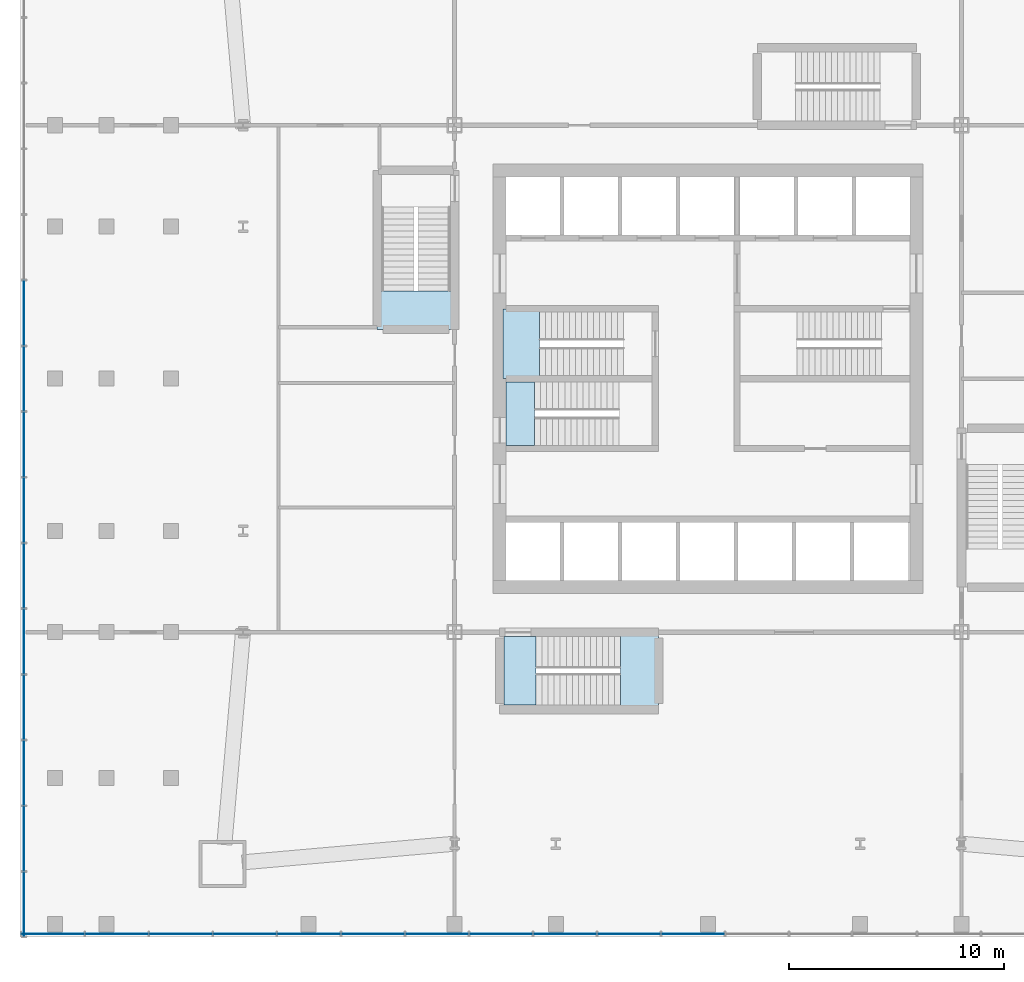
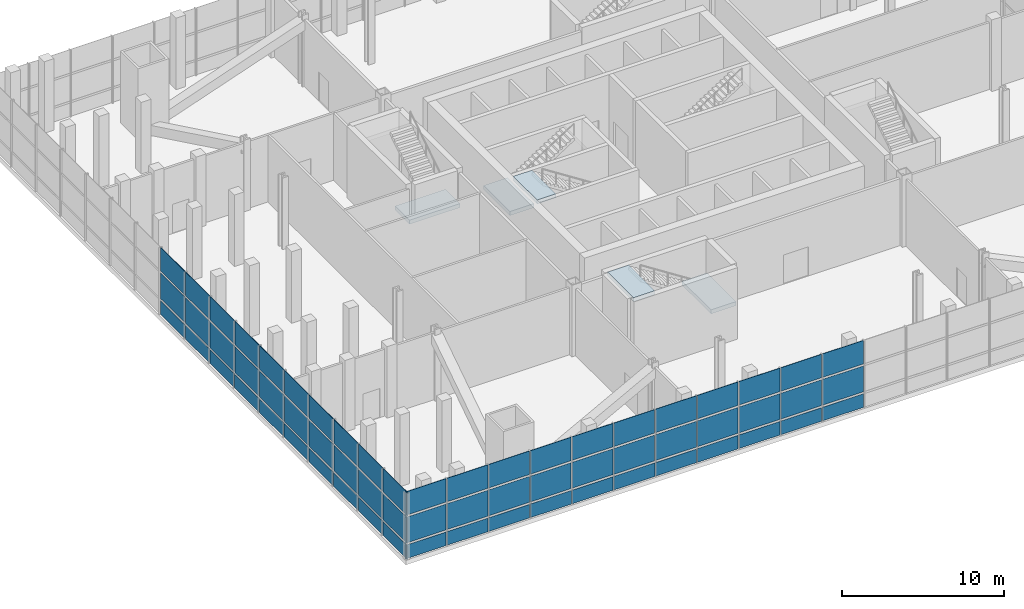
# One storey, part 8 of 17: 63 plates, 5 slabs, 6 elements without a shape of their own.
"""IFC4 building model written with IfcOpenShell, lengths in metres."""

import ifcopenshell
import ifcopenshell.guid

model = None  # the IFC model being written
_history = None  # IfcOwnerHistory: only IFC2X3 demands one
_inside = {}  # id of a spatial element -> (the spatial element, [elements in it])
_under = {}  # id of a project, library or spatial element -> (it, [spatial elements below it])
_declared = {}  # id of a project -> (the project, [libraries it declares])
_typed = {}  # id of a type object -> (the type object, [elements of that type])
_made_of = {}  # id of a material, layer set ... -> (it, [elements and type objects made of it])


def new_model(schema):
    """Start an empty IFC model of exactly this schema.

    Asked for "IFC4X3", IfcOpenShell would pick the latest addendum, in which some entities
    have other attributes; the version numbers below select the first issue.
    IFC2X3 requires an IfcOwnerHistory on every rooted entity: one is made here for all.
    """
    global model, _history
    if schema == "IFC4X3":
        model = ifcopenshell.file(schema_version=(4, 3, 0, 0))
    else:
        model = ifcopenshell.file(schema=schema)
    _inside.clear()
    _under.clear()
    _declared.clear()
    _typed.clear()
    _made_of.clear()
    _history = None
    if model.schema == "IFC2X3":
        org = make("IfcOrganization", Name="unknown")
        user = make(
            "IfcPersonAndOrganization",
            ThePerson=make("IfcPerson", FamilyName="unknown"),
            TheOrganization=org,
        )
        app = make(
            "IfcApplication",
            ApplicationDeveloper=org,
            Version="unknown",
            ApplicationFullName="unknown",
            ApplicationIdentifier="unknown",
        )
        _history = make(
            "IfcOwnerHistory",
            OwningUser=user,
            OwningApplication=app,
            ChangeAction="ADDED",
            CreationDate=0,
        )
    return model


def make(cls, **values):
    """One entity of the class cls with the attributes given. An attribute that is None is left unset."""
    return model.create_entity(
        cls, **{name: value for name, value in values.items() if value is not None}
    )


def rooted(cls, **values):
    """An entity with a GlobalId (a new one), such as an element, a storey or a relation."""
    return make(cls, GlobalId=ifcopenshell.guid.new(), OwnerHistory=_history, **values)


def si_unit(unit_type, name, prefix=None):
    """IfcSIUnit, for example si_unit("LENGTHUNIT", "METRE", prefix="MILLI")."""
    return make("IfcSIUnit", UnitType=unit_type, Prefix=prefix, Name=name)


def assignment(units):
    """IfcUnitAssignment: the units of a project."""
    return None if units is None else make("IfcUnitAssignment", Units=units)


def point(xyz):
    """IfcCartesianPoint."""
    return None if xyz is None else make("IfcCartesianPoint", Coordinates=xyz)


def direction(xyz):
    """IfcDirection."""
    return None if xyz is None else make("IfcDirection", DirectionRatios=xyz)


def frame(location, z_axis=None, x_axis=None):
    """IfcAxis2Placement3D, a coordinate frame: its origin and axes. An axis left out is left unset."""
    return make(
        "IfcAxis2Placement3D",
        Location=point(location),
        Axis=direction(z_axis),
        RefDirection=direction(x_axis),
    )


def frame_2d(location, x_axis=None):
    """IfcAxis2Placement2D, a coordinate frame in the plane: its origin and x axis."""
    return make(
        "IfcAxis2Placement2D", Location=point(location), RefDirection=direction(x_axis)
    )


def origin():
    """The frame at (0, 0, 0) with its axes left unset."""
    return frame((0.0, 0.0, 0.0))


def origin_2d():
    """The frame at (0, 0) in the plane with its x axis left unset."""
    return frame_2d((0.0, 0.0))


def place(relative_to, where):
    """IfcLocalPlacement: puts the frame where relative to a parent placement (None: the world)."""
    return make(
        "IfcLocalPlacement", PlacementRelTo=relative_to, RelativePlacement=where
    )


def context(
    kind, dimensions, precision=None, world=None, true_north=None, identifier=None
):
    """IfcGeometricRepresentationContext, for example the 3D "Model" context."""
    return make(
        "IfcGeometricRepresentationContext",
        ContextIdentifier=identifier,
        ContextType=kind,
        CoordinateSpaceDimension=dimensions,
        Precision=precision,
        WorldCoordinateSystem=world,
        TrueNorth=true_north,
    )


def subcontext(parent, identifier, kind, view, scale=None):
    """IfcGeometricRepresentationSubContext, for example "Body" below "Model"."""
    return make(
        "IfcGeometricRepresentationSubContext",
        ContextIdentifier=identifier,
        ContextType=kind,
        ParentContext=parent,
        TargetScale=scale,
        TargetView=view,
    )


def project(units=None, contexts=None):
    """IfcProject with its units and contexts."""
    return rooted(
        "IfcProject",
        Name="project",
        RepresentationContexts=contexts,
        UnitsInContext=assignment(units),
    )


def spatial(cls, under=None, at=None, **own):
    """A site, building, storey or space (cls), placed at a placement, below another one or the project."""
    s = rooted(cls, ObjectPlacement=at, **own)
    if under is not None:
        _under.setdefault(under.id(), (under, []))[1].append(s)
    return s


def polyline(points):
    """IfcPolyline through the points."""
    return make("IfcPolyline", Points=[point(p) for p in points])


def profile(cls, at=None, kind="AREA", **sizes):
    """A parametric profile (cls). Its sizes go by their IFC names, for example OverallWidth=200.0."""
    return make(cls, ProfileType=kind, Position=at, **sizes)


def rectangle(**sizes):
    """IfcRectangleProfileDef."""
    return profile("IfcRectangleProfileDef", **sizes)


def outline(outer, holes=None, kind="AREA"):
    """IfcArbitraryClosedProfileDef: a profile drawn as a closed curve; with holes, ...WithVoids."""
    if holes is None:
        return make("IfcArbitraryClosedProfileDef", ProfileType=kind, OuterCurve=outer)
    return make(
        "IfcArbitraryProfileDefWithVoids",
        ProfileType=kind,
        OuterCurve=outer,
        InnerCurves=holes,
    )


def extrude(swept, where, along, depth):
    """IfcExtrudedAreaSolid: the profile swept, set in the frame where, extruded along a direction by depth."""
    return make(
        "IfcExtrudedAreaSolid",
        SweptArea=swept,
        Position=where,
        ExtrudedDirection=direction(along),
        Depth=depth,
    )


def shape(context_of_items, identifier, shape_type, items):
    """IfcShapeRepresentation: the items that make up one representation, for example the "Body"."""
    return make(
        "IfcShapeRepresentation",
        ContextOfItems=context_of_items,
        RepresentationIdentifier=identifier,
        RepresentationType=shape_type,
        Items=items,
    )


def material(Name=None, Category=None):
    """IfcMaterial."""
    return make("IfcMaterial", Name=Name, Category=Category)


def layer(
    of_material, thickness, ventilated=None, Name=None, Category=None, Priority=None
):
    """IfcMaterialLayer: one layer of a wall or slab, of a material (None: an air gap)."""
    return make(
        "IfcMaterialLayer",
        Material=of_material,
        LayerThickness=thickness,
        IsVentilated=ventilated,
        Name=Name,
        Category=Category,
        Priority=Priority,
    )


def layer_set(layers, Name=None):
    """IfcMaterialLayerSet."""
    return make("IfcMaterialLayerSet", MaterialLayers=layers, LayerSetName=Name)


def made_of(thing, what):
    """Note that an element or type object is made of a material, layer set ...; save() writes the relation."""
    if what is not None:
        _made_of.setdefault(what.id(), (what, []))[1].append(thing)
    return thing


def type_object(cls, material=None, **own):
    """A type object (cls), such as IfcWallType, which elements share."""
    return made_of(rooted(cls, **own), material)


def element(
    cls,
    number,
    at=None,
    inside=None,
    cuts=None,
    type_object=None,
    material=None,
    context=None,
    identifier="Body",
    shape_type=None,
    held_by="IfcProductDefinitionShape",
    body=None,
    shapes=None,
    **own,
):
    """One element of the class cls, such as IfcWall. Its Tag is "e" and its number.

    at: its placement. inside: the storey or other place that contains it. cuts: it is an
    opening in that element (IfcRelVoidsElement). A single representation is given by context,
    identifier, shape_type and body (its items); several are given by shapes. held_by: the class
    of the entity that holds the representations. save() writes the other relations.
    """
    e = rooted(cls, Tag="e%d" % number, ObjectPlacement=at, **own)
    if body is not None:
        shapes = [shape(context, identifier, shape_type, body)]
    if shapes is not None:
        e.Representation = make(held_by, Representations=shapes)
    if inside is not None:
        _inside.setdefault(inside.id(), (inside, []))[1].append(e)
    if cuts is not None:
        rooted(
            "IfcRelVoidsElement", RelatingBuildingElement=cuts, RelatedOpeningElement=e
        )
    if type_object is not None:
        _typed.setdefault(type_object.id(), (type_object, []))[1].append(e)
    return made_of(e, material)


def aggregate(whole, parts):
    """IfcRelAggregates: a whole, such as a stair, and the parts it consists of."""
    return rooted("IfcRelAggregates", RelatingObject=whole, RelatedObjects=parts)


def save(model, path):
    """Write the relations noted so far, then the file.

    IfcRelAggregates (storeys below a building ...), IfcRelContainedInSpatialStructure (elements
    in a storey), IfcRelDefinesByType, IfcRelAssociatesMaterial and IfcRelDeclares: one each for
    every whole, place, type object, material and project.
    """
    for whole, parts in _under.values():
        aggregate(whole, parts)
    for where, things in _inside.values():
        rooted(
            "IfcRelContainedInSpatialStructure",
            RelatedElements=things,
            RelatingStructure=where,
        )
    for kind, things in _typed.values():
        rooted("IfcRelDefinesByType", RelatedObjects=things, RelatingType=kind)
    for what, things in _made_of.values():
        rooted("IfcRelAssociatesMaterial", RelatedObjects=things, RelatingMaterial=what)
    for by, libraries in _declared.values():
        rooted("IfcRelDeclares", RelatingContext=by, RelatedDefinitions=libraries)
    model.write(path)


model = new_model("IFC4")

# Units and contexts
model_context = context("Model", 3, precision=1e-05, world=origin(), true_north=direction((0.0, 1.0)))
body_context = subcontext(model_context, "Body", "Model", "MODEL_VIEW")
ifc_project = project(units=[si_unit("LENGTHUNIT", "METRE"), si_unit("AREAUNIT", "SQUARE_METRE"), si_unit("VOLUMEUNIT", "CUBIC_METRE"), si_unit("PLANEANGLEUNIT", "RADIAN"), si_unit("MASSUNIT", "GRAM", prefix="KILO")], contexts=[model_context])

# Site, building, storey
site_placement = place(None, origin())
site = spatial("IfcSite", under=ifc_project, at=site_placement, CompositionType="ELEMENT")
building_placement = place(site_placement, origin())
building = spatial("IfcBuilding", under=site, at=building_placement, Name="Turquesa Mirador Hotel Tower", CompositionType="ELEMENT")
storey_placement = place(building_placement, frame((0.0, 0.0, 5.60009765625)))
storey = spatial("IfcBuildingStorey", under=building, at=storey_placement, Name="L01", CompositionType="ELEMENT", Elevation=5.60009765625)

# Curtain wall, plates
ifc_material_1 = material(Name="Aluminium extrusion", Category="aluminium")
curtain_wall_type = type_object("IfcCurtainWallType", Name="CW-2 PODIUM CURTAIN WALL", PredefinedType="USERDEFINED", material=ifc_material_1)
curtain_wall_1_placement = place(storey_placement, origin())
curtain_wall_1 = element("IfcCurtainWall", 1, at=curtain_wall_1_placement, inside=storey, type_object=curtain_wall_type, Name="CW-2 PODIUM CURTAIN WALL L01", ObjectType="CURTAIN WALL", PredefinedType="USERDEFINED")
ifc_material_2 = material(Name="Ceramic-printed spandrel glass on an insulated back pan", Category="glass")
ifc_layer_1 = layer(ifc_material_2, 0.050048828125)
ifc_layer_set_1 = layer_set([ifc_layer_1], Name="CW PANEL SPANDREL CERAMIC")
plate_type_1 = type_object("IfcPlateType", Name="CW PANEL SPANDREL CERAMIC", PredefinedType="CURTAIN_PANEL", material=ifc_layer_set_1)
plate_1_placement = place(storey_placement, frame((24.490478515625, 19.14990234375, 0.0), z_axis=(0.0, 0.0, 1.0), x_axis=(1.0, 0.0, 0.0)))
plate_1 = element("IfcPlate", 2, at=plate_1_placement, type_object=plate_type_1, Name="Panel", PredefinedType="CURTAIN_PANEL", context=body_context, shape_type="SweptSolid", body=[
    extrude(rectangle(XDim=2.915771484375, YDim=0.050048828125, at=origin_2d()), origin(), (0.0, 0.0, 1.0), 1.02490234375),
])
plate_2_placement = place(storey_placement, frame((27.47119140625, 19.14990234375, 0.0), z_axis=(0.0, 0.0, 1.0), x_axis=(1.0, 0.0, 0.0)))
plate_2 = element("IfcPlate", 3, at=plate_2_placement, type_object=plate_type_1, Name="Panel", PredefinedType="CURTAIN_PANEL", context=body_context, shape_type="SweptSolid", body=[
    extrude(rectangle(XDim=2.915771484375, YDim=0.050048828125, at=origin_2d()), origin(), (0.0, 0.0, 1.0), 1.02490234375),
])
plate_3_placement = place(storey_placement, frame((30.451904296875, 19.14990234375, 0.0), z_axis=(0.0, 0.0, 1.0), x_axis=(1.0, 0.0, 0.0)))
plate_3 = element("IfcPlate", 4, at=plate_3_placement, type_object=plate_type_1, Name="Panel", PredefinedType="CURTAIN_PANEL", context=body_context, shape_type="SweptSolid", body=[
    extrude(rectangle(XDim=2.915771484375, YDim=0.050048828125, at=origin_2d()), origin(), (0.0, 0.0, 1.0), 1.02490234375),
])
plate_4_placement = place(storey_placement, frame((33.4326171875, 19.14990234375, 0.0), z_axis=(0.0, 0.0, 1.0), x_axis=(1.0, 0.0, 0.0)))
plate_4 = element("IfcPlate", 5, at=plate_4_placement, type_object=plate_type_1, Name="Panel", PredefinedType="CURTAIN_PANEL", context=body_context, shape_type="SweptSolid", body=[
    extrude(rectangle(XDim=2.915771484375, YDim=0.050048828125, at=origin_2d()), origin(), (0.0, 0.0, 1.0), 1.02490234375),
])
plate_5_placement = place(storey_placement, frame((36.41357421875, 19.14990234375, 0.0), z_axis=(0.0, 0.0, 1.0), x_axis=(1.0, 0.0, 0.0)))
plate_5 = element("IfcPlate", 6, at=plate_5_placement, type_object=plate_type_1, Name="Panel", PredefinedType="CURTAIN_PANEL", context=body_context, shape_type="SweptSolid", body=[
    extrude(rectangle(XDim=2.915771484375, YDim=0.050048828125, at=origin_2d()), origin(), (0.0, 0.0, 1.0), 1.02490234375),
])
plate_6_placement = place(storey_placement, frame((39.394287109375, 19.14990234375, 0.0), z_axis=(0.0, 0.0, 1.0), x_axis=(1.0, 0.0, 0.0)))
plate_6 = element("IfcPlate", 7, at=plate_6_placement, type_object=plate_type_1, Name="Panel", PredefinedType="CURTAIN_PANEL", context=body_context, shape_type="SweptSolid", body=[
    extrude(rectangle(XDim=2.915771484375, YDim=0.050048828125, at=origin_2d()), origin(), (0.0, 0.0, 1.0), 1.02490234375),
])
plate_7_placement = place(storey_placement, frame((42.375, 19.14990234375, 0.0), z_axis=(0.0, 0.0, 1.0), x_axis=(1.0, 0.0, 0.0)))
plate_7 = element("IfcPlate", 8, at=plate_7_placement, type_object=plate_type_1, Name="Panel", PredefinedType="CURTAIN_PANEL", context=body_context, shape_type="SweptSolid", body=[
    extrude(rectangle(XDim=2.915771484375, YDim=0.050048828125, at=origin_2d()), origin(), (0.0, 0.0, 1.0), 1.02490234375),
])
plate_8_placement = place(storey_placement, frame((45.355712890625, 19.14990234375, 0.0), z_axis=(0.0, 0.0, 1.0), x_axis=(1.0, 0.0, 0.0)))
plate_8 = element("IfcPlate", 9, at=plate_8_placement, type_object=plate_type_1, Name="Panel", PredefinedType="CURTAIN_PANEL", context=body_context, shape_type="SweptSolid", body=[
    extrude(rectangle(XDim=2.915771484375, YDim=0.050048828125, at=origin_2d()), origin(), (0.0, 0.0, 1.0), 1.02490234375),
])
plate_9_placement = place(storey_placement, frame((48.336669921875, 19.14990234375, 0.0), z_axis=(0.0, 0.0, 1.0), x_axis=(1.0, 0.0, 0.0)))
plate_9 = element("IfcPlate", 10, at=plate_9_placement, type_object=plate_type_1, Name="Panel", PredefinedType="CURTAIN_PANEL", context=body_context, shape_type="SweptSolid", body=[
    extrude(rectangle(XDim=2.915771484375, YDim=0.050048828125, at=origin_2d()), origin(), (0.0, 0.0, 1.0), 1.02490234375),
])
plate_10_placement = place(storey_placement, frame((51.3173828125, 19.14990234375, 0.0), z_axis=(0.0, 0.0, 1.0), x_axis=(1.0, 0.0, 0.0)))
plate_10 = element("IfcPlate", 11, at=plate_10_placement, type_object=plate_type_1, Name="Panel", PredefinedType="CURTAIN_PANEL", context=body_context, shape_type="SweptSolid", body=[
    extrude(rectangle(XDim=2.915771484375, YDim=0.050048828125, at=origin_2d()), origin(), (0.0, 0.0, 1.0), 1.02490234375),
])
plate_11_placement = place(storey_placement, frame((54.298095703125, 19.14990234375, 0.0), z_axis=(0.0, 0.0, 1.0), x_axis=(1.0, 0.0, 0.0)))
plate_11 = element("IfcPlate", 12, at=plate_11_placement, type_object=plate_type_1, Name="Panel", PredefinedType="CURTAIN_PANEL", context=body_context, shape_type="SweptSolid", body=[
    extrude(rectangle(XDim=2.915771484375, YDim=0.050048828125, at=origin_2d()), origin(), (0.0, 0.0, 1.0), 1.02490234375),
])

curtain_wall_2_placement = place(storey_placement, origin())
curtain_wall_2 = element("IfcCurtainWall", 13, at=curtain_wall_2_placement, inside=storey, type_object=curtain_wall_type, Name="CW-2 PODIUM CURTAIN WALL L01", ObjectType="CURTAIN WALL", PredefinedType="USERDEFINED")
plate_12_placement = place(storey_placement, frame((23.14990234375, 48.058837890625, 0.0), z_axis=(0.0, 0.0, 1.0), x_axis=(0.0, -1.0, 0.0)))
plate_12 = element("IfcPlate", 14, at=plate_12_placement, type_object=plate_type_1, Name="Panel", PredefinedType="CURTAIN_PANEL", context=body_context, shape_type="SweptSolid", body=[
    extrude(rectangle(XDim=2.993896484375, YDim=0.050048828125, at=origin_2d()), origin(), (0.0, 0.0, 1.0), 1.02490234375),
])
plate_13_placement = place(storey_placement, frame((23.14990234375, 45.0, 0.0), z_axis=(0.0, 0.0, 1.0), x_axis=(0.0, -1.0, 0.0)))
plate_13 = element("IfcPlate", 15, at=plate_13_placement, type_object=plate_type_1, Name="Panel", PredefinedType="CURTAIN_PANEL", context=body_context, shape_type="SweptSolid", body=[
    extrude(rectangle(XDim=2.993896484375, YDim=0.050048828125, at=origin_2d()), origin(), (0.0, 0.0, 1.0), 1.02490234375),
])
plate_14_placement = place(storey_placement, frame((23.14990234375, 41.941162109375, 0.0), z_axis=(0.0, 0.0, 1.0), x_axis=(0.0, -1.0, 0.0)))
plate_14 = element("IfcPlate", 16, at=plate_14_placement, type_object=plate_type_1, Name="Panel", PredefinedType="CURTAIN_PANEL", context=body_context, shape_type="SweptSolid", body=[
    extrude(rectangle(XDim=2.993896484375, YDim=0.050048828125, at=origin_2d()), origin(), (0.0, 0.0, 1.0), 1.02490234375),
])
plate_15_placement = place(storey_placement, frame((23.14990234375, 38.88232421875, 0.0), z_axis=(0.0, 0.0, 1.0), x_axis=(0.0, -1.0, 0.0)))
plate_15 = element("IfcPlate", 17, at=plate_15_placement, type_object=plate_type_1, Name="Panel", PredefinedType="CURTAIN_PANEL", context=body_context, shape_type="SweptSolid", body=[
    extrude(rectangle(XDim=2.993896484375, YDim=0.050048828125, at=origin_2d()), origin(), (0.0, 0.0, 1.0), 1.02490234375),
])
plate_16_placement = place(storey_placement, frame((23.14990234375, 35.823486328125, 0.0), z_axis=(0.0, 0.0, 1.0), x_axis=(0.0, -1.0, 0.0)))
plate_16 = element("IfcPlate", 18, at=plate_16_placement, type_object=plate_type_1, Name="Panel", PredefinedType="CURTAIN_PANEL", context=body_context, shape_type="SweptSolid", body=[
    extrude(rectangle(XDim=2.993896484375, YDim=0.050048828125, at=origin_2d()), origin(), (0.0, 0.0, 1.0), 1.02490234375),
])
plate_17_placement = place(storey_placement, frame((23.14990234375, 32.7646484375, 0.0), z_axis=(0.0, 0.0, 1.0), x_axis=(0.0, -1.0, 0.0)))
plate_17 = element("IfcPlate", 19, at=plate_17_placement, type_object=plate_type_1, Name="Panel", PredefinedType="CURTAIN_PANEL", context=body_context, shape_type="SweptSolid", body=[
    extrude(rectangle(XDim=2.993896484375, YDim=0.050048828125, at=origin_2d()), origin(), (0.0, 0.0, 1.0), 1.02490234375),
])
plate_18_placement = place(storey_placement, frame((23.14990234375, 29.705810546875, 0.0), z_axis=(0.0, 0.0, 1.0), x_axis=(0.0, -1.0, 0.0)))
plate_18 = element("IfcPlate", 20, at=plate_18_placement, type_object=plate_type_1, Name="Panel", PredefinedType="CURTAIN_PANEL", context=body_context, shape_type="SweptSolid", body=[
    extrude(rectangle(XDim=2.993896484375, YDim=0.050048828125, at=origin_2d()), origin(), (0.0, 0.0, 1.0), 1.02490234375),
])
plate_19_placement = place(storey_placement, frame((23.14990234375, 26.64697265625, 0.0), z_axis=(0.0, 0.0, 1.0), x_axis=(0.0, -1.0, 0.0)))
plate_19 = element("IfcPlate", 21, at=plate_19_placement, type_object=plate_type_1, Name="Panel", PredefinedType="CURTAIN_PANEL", context=body_context, shape_type="SweptSolid", body=[
    extrude(rectangle(XDim=2.993896484375, YDim=0.050048828125, at=origin_2d()), origin(), (0.0, 0.0, 1.0), 1.02490234375),
])
plate_20_placement = place(storey_placement, frame((23.14990234375, 23.588134765625, 0.0), z_axis=(0.0, 0.0, 1.0), x_axis=(0.0, -1.0, 0.0)))
plate_20 = element("IfcPlate", 22, at=plate_20_placement, type_object=plate_type_1, Name="Panel", PredefinedType="CURTAIN_PANEL", context=body_context, shape_type="SweptSolid", body=[
    extrude(rectangle(XDim=2.993896484375, YDim=0.050048828125, at=origin_2d()), origin(), (0.0, 0.0, 1.0), 1.02490234375),
])
plate_21_placement = place(storey_placement, frame((23.14990234375, 20.529296875, 0.0), z_axis=(0.0, 0.0, 1.0), x_axis=(0.0, -1.0, 0.0)))
plate_21 = element("IfcPlate", 23, at=plate_21_placement, type_object=plate_type_1, Name="Panel", PredefinedType="CURTAIN_PANEL", context=body_context, shape_type="SweptSolid", body=[
    extrude(rectangle(XDim=2.993896484375, YDim=0.050048828125, at=origin_2d()), origin(), (0.0, 0.0, 1.0), 1.02490234375),
])

# Plate
ifc_material_3 = material(Name="Ceramic-fritted laminated glass", Category="glass")
ifc_layer_2 = layer(ifc_material_3, 0.031982421875)
ifc_layer_set_2 = layer_set([ifc_layer_2], Name="CW PANEL VISION FRITTED")
plate_type_2 = type_object("IfcPlateType", Name="CW PANEL VISION FRITTED", PredefinedType="CURTAIN_PANEL", material=ifc_layer_set_2)
plate_22_placement = place(storey_placement, frame((24.490478515625, 19.14990234375, 1.1748046875), z_axis=(0.0, 0.0, 1.0), x_axis=(1.0, 0.0, 0.0)))
plate_22 = element("IfcPlate", 24, at=plate_22_placement, type_object=plate_type_2, Name="Panel", PredefinedType="CURTAIN_PANEL", context=body_context, shape_type="SweptSolid", body=[
    extrude(rectangle(XDim=2.915771484375, YDim=0.031982421875, at=origin_2d()), origin(), (0.0, 0.0, 1.0), 1.949951171875),
])

plate_23_placement = place(storey_placement, frame((24.490478515625, 19.14990234375, 3.27490234375), z_axis=(0.0, 0.0, 1.0), x_axis=(1.0, 0.0, 0.0)))
plate_23 = element("IfcPlate", 25, at=plate_23_placement, type_object=plate_type_2, Name="Panel", PredefinedType="CURTAIN_PANEL", context=body_context, shape_type="SweptSolid", body=[
    extrude(rectangle(XDim=2.915771484375, YDim=0.031982421875, at=origin_2d()), origin(), (0.0, 0.0, 1.0), 1.77490234375),
])

plate_24_placement = place(storey_placement, frame((27.47119140625, 19.14990234375, 1.1748046875), z_axis=(0.0, 0.0, 1.0), x_axis=(1.0, 0.0, 0.0)))
plate_24 = element("IfcPlate", 26, at=plate_24_placement, type_object=plate_type_2, Name="Panel", PredefinedType="CURTAIN_PANEL", context=body_context, shape_type="SweptSolid", body=[
    extrude(rectangle(XDim=2.915771484375, YDim=0.031982421875, at=origin_2d()), origin(), (0.0, 0.0, 1.0), 1.949951171875),
])

plate_25_placement = place(storey_placement, frame((27.47119140625, 19.14990234375, 3.27490234375), z_axis=(0.0, 0.0, 1.0), x_axis=(1.0, 0.0, 0.0)))
plate_25 = element("IfcPlate", 27, at=plate_25_placement, type_object=plate_type_2, Name="Panel", PredefinedType="CURTAIN_PANEL", context=body_context, shape_type="SweptSolid", body=[
    extrude(rectangle(XDim=2.915771484375, YDim=0.031982421875, at=origin_2d()), origin(), (0.0, 0.0, 1.0), 1.77490234375),
])

plate_26_placement = place(storey_placement, frame((30.451904296875, 19.14990234375, 1.1748046875), z_axis=(0.0, 0.0, 1.0), x_axis=(1.0, 0.0, 0.0)))
plate_26 = element("IfcPlate", 28, at=plate_26_placement, type_object=plate_type_2, Name="Panel", PredefinedType="CURTAIN_PANEL", context=body_context, shape_type="SweptSolid", body=[
    extrude(rectangle(XDim=2.915771484375, YDim=0.031982421875, at=origin_2d()), origin(), (0.0, 0.0, 1.0), 1.949951171875),
])

plate_27_placement = place(storey_placement, frame((30.451904296875, 19.14990234375, 3.27490234375), z_axis=(0.0, 0.0, 1.0), x_axis=(1.0, 0.0, 0.0)))
plate_27 = element("IfcPlate", 29, at=plate_27_placement, type_object=plate_type_2, Name="Panel", PredefinedType="CURTAIN_PANEL", context=body_context, shape_type="SweptSolid", body=[
    extrude(rectangle(XDim=2.915771484375, YDim=0.031982421875, at=origin_2d()), origin(), (0.0, 0.0, 1.0), 1.77490234375),
])

plate_28_placement = place(storey_placement, frame((33.4326171875, 19.14990234375, 1.1748046875), z_axis=(0.0, 0.0, 1.0), x_axis=(1.0, 0.0, 0.0)))
plate_28 = element("IfcPlate", 30, at=plate_28_placement, type_object=plate_type_2, Name="Panel", PredefinedType="CURTAIN_PANEL", context=body_context, shape_type="SweptSolid", body=[
    extrude(rectangle(XDim=2.915771484375, YDim=0.031982421875, at=origin_2d()), origin(), (0.0, 0.0, 1.0), 1.949951171875),
])

plate_29_placement = place(storey_placement, frame((33.4326171875, 19.14990234375, 3.27490234375), z_axis=(0.0, 0.0, 1.0), x_axis=(1.0, 0.0, 0.0)))
plate_29 = element("IfcPlate", 31, at=plate_29_placement, type_object=plate_type_2, Name="Panel", PredefinedType="CURTAIN_PANEL", context=body_context, shape_type="SweptSolid", body=[
    extrude(rectangle(XDim=2.915771484375, YDim=0.031982421875, at=origin_2d()), origin(), (0.0, 0.0, 1.0), 1.77490234375),
])

plate_30_placement = place(storey_placement, frame((36.41357421875, 19.14990234375, 1.1748046875), z_axis=(0.0, 0.0, 1.0), x_axis=(1.0, 0.0, 0.0)))
plate_30 = element("IfcPlate", 32, at=plate_30_placement, type_object=plate_type_2, Name="Panel", PredefinedType="CURTAIN_PANEL", context=body_context, shape_type="SweptSolid", body=[
    extrude(rectangle(XDim=2.915771484375, YDim=0.031982421875, at=origin_2d()), origin(), (0.0, 0.0, 1.0), 1.949951171875),
])

plate_31_placement = place(storey_placement, frame((36.41357421875, 19.14990234375, 3.27490234375), z_axis=(0.0, 0.0, 1.0), x_axis=(1.0, 0.0, 0.0)))
plate_31 = element("IfcPlate", 33, at=plate_31_placement, type_object=plate_type_2, Name="Panel", PredefinedType="CURTAIN_PANEL", context=body_context, shape_type="SweptSolid", body=[
    extrude(rectangle(XDim=2.915771484375, YDim=0.031982421875, at=origin_2d()), origin(), (0.0, 0.0, 1.0), 1.77490234375),
])

plate_32_placement = place(storey_placement, frame((39.394287109375, 19.14990234375, 1.1748046875), z_axis=(0.0, 0.0, 1.0), x_axis=(1.0, 0.0, 0.0)))
plate_32 = element("IfcPlate", 34, at=plate_32_placement, type_object=plate_type_2, Name="Panel", PredefinedType="CURTAIN_PANEL", context=body_context, shape_type="SweptSolid", body=[
    extrude(rectangle(XDim=2.915771484375, YDim=0.031982421875, at=origin_2d()), origin(), (0.0, 0.0, 1.0), 1.949951171875),
])

plate_33_placement = place(storey_placement, frame((39.394287109375, 19.14990234375, 3.27490234375), z_axis=(0.0, 0.0, 1.0), x_axis=(1.0, 0.0, 0.0)))
plate_33 = element("IfcPlate", 35, at=plate_33_placement, type_object=plate_type_2, Name="Panel", PredefinedType="CURTAIN_PANEL", context=body_context, shape_type="SweptSolid", body=[
    extrude(rectangle(XDim=2.915771484375, YDim=0.031982421875, at=origin_2d()), origin(), (0.0, 0.0, 1.0), 1.77490234375),
])

plate_34_placement = place(storey_placement, frame((42.375, 19.14990234375, 1.1748046875), z_axis=(0.0, 0.0, 1.0), x_axis=(1.0, 0.0, 0.0)))
plate_34 = element("IfcPlate", 36, at=plate_34_placement, type_object=plate_type_2, Name="Panel", PredefinedType="CURTAIN_PANEL", context=body_context, shape_type="SweptSolid", body=[
    extrude(rectangle(XDim=2.915771484375, YDim=0.031982421875, at=origin_2d()), origin(), (0.0, 0.0, 1.0), 1.949951171875),
])

plate_35_placement = place(storey_placement, frame((42.375, 19.14990234375, 3.27490234375), z_axis=(0.0, 0.0, 1.0), x_axis=(1.0, 0.0, 0.0)))
plate_35 = element("IfcPlate", 37, at=plate_35_placement, type_object=plate_type_2, Name="Panel", PredefinedType="CURTAIN_PANEL", context=body_context, shape_type="SweptSolid", body=[
    extrude(rectangle(XDim=2.915771484375, YDim=0.031982421875, at=origin_2d()), origin(), (0.0, 0.0, 1.0), 1.77490234375),
])

plate_36_placement = place(storey_placement, frame((45.355712890625, 19.14990234375, 1.1748046875), z_axis=(0.0, 0.0, 1.0), x_axis=(1.0, 0.0, 0.0)))
plate_36 = element("IfcPlate", 38, at=plate_36_placement, type_object=plate_type_2, Name="Panel", PredefinedType="CURTAIN_PANEL", context=body_context, shape_type="SweptSolid", body=[
    extrude(rectangle(XDim=2.915771484375, YDim=0.031982421875, at=origin_2d()), origin(), (0.0, 0.0, 1.0), 1.949951171875),
])

plate_37_placement = place(storey_placement, frame((45.355712890625, 19.14990234375, 3.27490234375), z_axis=(0.0, 0.0, 1.0), x_axis=(1.0, 0.0, 0.0)))
plate_37 = element("IfcPlate", 39, at=plate_37_placement, type_object=plate_type_2, Name="Panel", PredefinedType="CURTAIN_PANEL", context=body_context, shape_type="SweptSolid", body=[
    extrude(rectangle(XDim=2.915771484375, YDim=0.031982421875, at=origin_2d()), origin(), (0.0, 0.0, 1.0), 1.77490234375),
])

plate_38_placement = place(storey_placement, frame((48.336669921875, 19.14990234375, 1.1748046875), z_axis=(0.0, 0.0, 1.0), x_axis=(1.0, 0.0, 0.0)))
plate_38 = element("IfcPlate", 40, at=plate_38_placement, type_object=plate_type_2, Name="Panel", PredefinedType="CURTAIN_PANEL", context=body_context, shape_type="SweptSolid", body=[
    extrude(rectangle(XDim=2.915771484375, YDim=0.031982421875, at=origin_2d()), origin(), (0.0, 0.0, 1.0), 1.949951171875),
])

plate_39_placement = place(storey_placement, frame((48.336669921875, 19.14990234375, 3.27490234375), z_axis=(0.0, 0.0, 1.0), x_axis=(1.0, 0.0, 0.0)))
plate_39 = element("IfcPlate", 41, at=plate_39_placement, type_object=plate_type_2, Name="Panel", PredefinedType="CURTAIN_PANEL", context=body_context, shape_type="SweptSolid", body=[
    extrude(rectangle(XDim=2.915771484375, YDim=0.031982421875, at=origin_2d()), origin(), (0.0, 0.0, 1.0), 1.77490234375),
])

plate_40_placement = place(storey_placement, frame((51.3173828125, 19.14990234375, 1.1748046875), z_axis=(0.0, 0.0, 1.0), x_axis=(1.0, 0.0, 0.0)))
plate_40 = element("IfcPlate", 42, at=plate_40_placement, type_object=plate_type_2, Name="Panel", PredefinedType="CURTAIN_PANEL", context=body_context, shape_type="SweptSolid", body=[
    extrude(rectangle(XDim=2.915771484375, YDim=0.031982421875, at=origin_2d()), origin(), (0.0, 0.0, 1.0), 1.949951171875),
])

plate_41_placement = place(storey_placement, frame((51.3173828125, 19.14990234375, 3.27490234375), z_axis=(0.0, 0.0, 1.0), x_axis=(1.0, 0.0, 0.0)))
plate_41 = element("IfcPlate", 43, at=plate_41_placement, type_object=plate_type_2, Name="Panel", PredefinedType="CURTAIN_PANEL", context=body_context, shape_type="SweptSolid", body=[
    extrude(rectangle(XDim=2.915771484375, YDim=0.031982421875, at=origin_2d()), origin(), (0.0, 0.0, 1.0), 1.77490234375),
])

plate_42_placement = place(storey_placement, frame((54.298095703125, 19.14990234375, 1.1748046875), z_axis=(0.0, 0.0, 1.0), x_axis=(1.0, 0.0, 0.0)))
plate_42 = element("IfcPlate", 44, at=plate_42_placement, type_object=plate_type_2, Name="Panel", PredefinedType="CURTAIN_PANEL", context=body_context, shape_type="SweptSolid", body=[
    extrude(rectangle(XDim=2.915771484375, YDim=0.031982421875, at=origin_2d()), origin(), (0.0, 0.0, 1.0), 1.949951171875),
])

plate_43_placement = place(storey_placement, frame((54.298095703125, 19.14990234375, 3.27490234375), z_axis=(0.0, 0.0, 1.0), x_axis=(1.0, 0.0, 0.0)))
plate_43 = element("IfcPlate", 45, at=plate_43_placement, type_object=plate_type_2, Name="Panel", PredefinedType="CURTAIN_PANEL", context=body_context, shape_type="SweptSolid", body=[
    extrude(rectangle(XDim=2.915771484375, YDim=0.031982421875, at=origin_2d()), origin(), (0.0, 0.0, 1.0), 1.77490234375),
])

aggregate(curtain_wall_1, [plate_1, plate_22, plate_23, plate_2, plate_24, plate_25, plate_3, plate_26, plate_27, plate_4, plate_28, plate_29, plate_5, plate_30, plate_31, plate_6, plate_32, plate_33, plate_7, plate_34, plate_35, plate_8, plate_36, plate_37, plate_9, plate_38, plate_39, plate_10, plate_40, plate_41, plate_11, plate_42, plate_43])

plate_44_placement = place(storey_placement, frame((23.14990234375, 48.058837890625, 1.1748046875), z_axis=(0.0, 0.0, 1.0), x_axis=(0.0, -1.0, 0.0)))
plate_44 = element("IfcPlate", 46, at=plate_44_placement, type_object=plate_type_2, Name="Panel", PredefinedType="CURTAIN_PANEL", context=body_context, shape_type="SweptSolid", body=[
    extrude(rectangle(XDim=2.993896484375, YDim=0.031982421875, at=origin_2d()), origin(), (0.0, 0.0, 1.0), 1.949951171875),
])

plate_45_placement = place(storey_placement, frame((23.14990234375, 48.058837890625, 3.27490234375), z_axis=(0.0, 0.0, 1.0), x_axis=(0.0, -1.0, 0.0)))
plate_45 = element("IfcPlate", 47, at=plate_45_placement, type_object=plate_type_2, Name="Panel", PredefinedType="CURTAIN_PANEL", context=body_context, shape_type="SweptSolid", body=[
    extrude(rectangle(XDim=2.993896484375, YDim=0.031982421875, at=origin_2d()), origin(), (0.0, 0.0, 1.0), 1.77490234375),
])

plate_46_placement = place(storey_placement, frame((23.14990234375, 45.0, 1.1748046875), z_axis=(0.0, 0.0, 1.0), x_axis=(0.0, -1.0, 0.0)))
plate_46 = element("IfcPlate", 48, at=plate_46_placement, type_object=plate_type_2, Name="Panel", PredefinedType="CURTAIN_PANEL", context=body_context, shape_type="SweptSolid", body=[
    extrude(rectangle(XDim=2.993896484375, YDim=0.031982421875, at=origin_2d()), origin(), (0.0, 0.0, 1.0), 1.949951171875),
])

plate_47_placement = place(storey_placement, frame((23.14990234375, 45.0, 3.27490234375), z_axis=(0.0, 0.0, 1.0), x_axis=(0.0, -1.0, 0.0)))
plate_47 = element("IfcPlate", 49, at=plate_47_placement, type_object=plate_type_2, Name="Panel", PredefinedType="CURTAIN_PANEL", context=body_context, shape_type="SweptSolid", body=[
    extrude(rectangle(XDim=2.993896484375, YDim=0.031982421875, at=origin_2d()), origin(), (0.0, 0.0, 1.0), 1.77490234375),
])

plate_48_placement = place(storey_placement, frame((23.14990234375, 41.941162109375, 1.1748046875), z_axis=(0.0, 0.0, 1.0), x_axis=(0.0, -1.0, 0.0)))
plate_48 = element("IfcPlate", 50, at=plate_48_placement, type_object=plate_type_2, Name="Panel", PredefinedType="CURTAIN_PANEL", context=body_context, shape_type="SweptSolid", body=[
    extrude(rectangle(XDim=2.993896484375, YDim=0.031982421875, at=origin_2d()), origin(), (0.0, 0.0, 1.0), 1.949951171875),
])

plate_49_placement = place(storey_placement, frame((23.14990234375, 41.941162109375, 3.27490234375), z_axis=(0.0, 0.0, 1.0), x_axis=(0.0, -1.0, 0.0)))
plate_49 = element("IfcPlate", 51, at=plate_49_placement, type_object=plate_type_2, Name="Panel", PredefinedType="CURTAIN_PANEL", context=body_context, shape_type="SweptSolid", body=[
    extrude(rectangle(XDim=2.993896484375, YDim=0.031982421875, at=origin_2d()), origin(), (0.0, 0.0, 1.0), 1.77490234375),
])

plate_50_placement = place(storey_placement, frame((23.14990234375, 38.88232421875, 1.1748046875), z_axis=(0.0, 0.0, 1.0), x_axis=(0.0, -1.0, 0.0)))
plate_50 = element("IfcPlate", 52, at=plate_50_placement, type_object=plate_type_2, Name="Panel", PredefinedType="CURTAIN_PANEL", context=body_context, shape_type="SweptSolid", body=[
    extrude(rectangle(XDim=2.993896484375, YDim=0.031982421875, at=origin_2d()), origin(), (0.0, 0.0, 1.0), 1.949951171875),
])

plate_51_placement = place(storey_placement, frame((23.14990234375, 38.88232421875, 3.27490234375), z_axis=(0.0, 0.0, 1.0), x_axis=(0.0, -1.0, 0.0)))
plate_51 = element("IfcPlate", 53, at=plate_51_placement, type_object=plate_type_2, Name="Panel", PredefinedType="CURTAIN_PANEL", context=body_context, shape_type="SweptSolid", body=[
    extrude(rectangle(XDim=2.993896484375, YDim=0.031982421875, at=origin_2d()), origin(), (0.0, 0.0, 1.0), 1.77490234375),
])

plate_52_placement = place(storey_placement, frame((23.14990234375, 35.823486328125, 1.1748046875), z_axis=(0.0, 0.0, 1.0), x_axis=(0.0, -1.0, 0.0)))
plate_52 = element("IfcPlate", 54, at=plate_52_placement, type_object=plate_type_2, Name="Panel", PredefinedType="CURTAIN_PANEL", context=body_context, shape_type="SweptSolid", body=[
    extrude(rectangle(XDim=2.993896484375, YDim=0.031982421875, at=origin_2d()), origin(), (0.0, 0.0, 1.0), 1.949951171875),
])

plate_53_placement = place(storey_placement, frame((23.14990234375, 35.823486328125, 3.27490234375), z_axis=(0.0, 0.0, 1.0), x_axis=(0.0, -1.0, 0.0)))
plate_53 = element("IfcPlate", 55, at=plate_53_placement, type_object=plate_type_2, Name="Panel", PredefinedType="CURTAIN_PANEL", context=body_context, shape_type="SweptSolid", body=[
    extrude(rectangle(XDim=2.993896484375, YDim=0.031982421875, at=origin_2d()), origin(), (0.0, 0.0, 1.0), 1.77490234375),
])

plate_54_placement = place(storey_placement, frame((23.14990234375, 32.7646484375, 1.1748046875), z_axis=(0.0, 0.0, 1.0), x_axis=(0.0, -1.0, 0.0)))
plate_54 = element("IfcPlate", 56, at=plate_54_placement, type_object=plate_type_2, Name="Panel", PredefinedType="CURTAIN_PANEL", context=body_context, shape_type="SweptSolid", body=[
    extrude(rectangle(XDim=2.993896484375, YDim=0.031982421875, at=origin_2d()), origin(), (0.0, 0.0, 1.0), 1.949951171875),
])

plate_55_placement = place(storey_placement, frame((23.14990234375, 32.7646484375, 3.27490234375), z_axis=(0.0, 0.0, 1.0), x_axis=(0.0, -1.0, 0.0)))
plate_55 = element("IfcPlate", 57, at=plate_55_placement, type_object=plate_type_2, Name="Panel", PredefinedType="CURTAIN_PANEL", context=body_context, shape_type="SweptSolid", body=[
    extrude(rectangle(XDim=2.993896484375, YDim=0.031982421875, at=origin_2d()), origin(), (0.0, 0.0, 1.0), 1.77490234375),
])

plate_56_placement = place(storey_placement, frame((23.14990234375, 29.705810546875, 1.1748046875), z_axis=(0.0, 0.0, 1.0), x_axis=(0.0, -1.0, 0.0)))
plate_56 = element("IfcPlate", 58, at=plate_56_placement, type_object=plate_type_2, Name="Panel", PredefinedType="CURTAIN_PANEL", context=body_context, shape_type="SweptSolid", body=[
    extrude(rectangle(XDim=2.993896484375, YDim=0.031982421875, at=origin_2d()), origin(), (0.0, 0.0, 1.0), 1.949951171875),
])

plate_57_placement = place(storey_placement, frame((23.14990234375, 29.705810546875, 3.27490234375), z_axis=(0.0, 0.0, 1.0), x_axis=(0.0, -1.0, 0.0)))
plate_57 = element("IfcPlate", 59, at=plate_57_placement, type_object=plate_type_2, Name="Panel", PredefinedType="CURTAIN_PANEL", context=body_context, shape_type="SweptSolid", body=[
    extrude(rectangle(XDim=2.993896484375, YDim=0.031982421875, at=origin_2d()), origin(), (0.0, 0.0, 1.0), 1.77490234375),
])

plate_58_placement = place(storey_placement, frame((23.14990234375, 26.64697265625, 1.1748046875), z_axis=(0.0, 0.0, 1.0), x_axis=(0.0, -1.0, 0.0)))
plate_58 = element("IfcPlate", 60, at=plate_58_placement, type_object=plate_type_2, Name="Panel", PredefinedType="CURTAIN_PANEL", context=body_context, shape_type="SweptSolid", body=[
    extrude(rectangle(XDim=2.993896484375, YDim=0.031982421875, at=origin_2d()), origin(), (0.0, 0.0, 1.0), 1.949951171875),
])

plate_59_placement = place(storey_placement, frame((23.14990234375, 26.64697265625, 3.27490234375), z_axis=(0.0, 0.0, 1.0), x_axis=(0.0, -1.0, 0.0)))
plate_59 = element("IfcPlate", 61, at=plate_59_placement, type_object=plate_type_2, Name="Panel", PredefinedType="CURTAIN_PANEL", context=body_context, shape_type="SweptSolid", body=[
    extrude(rectangle(XDim=2.993896484375, YDim=0.031982421875, at=origin_2d()), origin(), (0.0, 0.0, 1.0), 1.77490234375),
])

plate_60_placement = place(storey_placement, frame((23.14990234375, 23.588134765625, 1.1748046875), z_axis=(0.0, 0.0, 1.0), x_axis=(0.0, -1.0, 0.0)))
plate_60 = element("IfcPlate", 62, at=plate_60_placement, type_object=plate_type_2, Name="Panel", PredefinedType="CURTAIN_PANEL", context=body_context, shape_type="SweptSolid", body=[
    extrude(rectangle(XDim=2.993896484375, YDim=0.031982421875, at=origin_2d()), origin(), (0.0, 0.0, 1.0), 1.949951171875),
])

plate_61_placement = place(storey_placement, frame((23.14990234375, 23.588134765625, 3.27490234375), z_axis=(0.0, 0.0, 1.0), x_axis=(0.0, -1.0, 0.0)))
plate_61 = element("IfcPlate", 63, at=plate_61_placement, type_object=plate_type_2, Name="Panel", PredefinedType="CURTAIN_PANEL", context=body_context, shape_type="SweptSolid", body=[
    extrude(rectangle(XDim=2.993896484375, YDim=0.031982421875, at=origin_2d()), origin(), (0.0, 0.0, 1.0), 1.77490234375),
])

plate_62_placement = place(storey_placement, frame((23.14990234375, 20.529296875, 1.1748046875), z_axis=(0.0, 0.0, 1.0), x_axis=(0.0, -1.0, 0.0)))
plate_62 = element("IfcPlate", 64, at=plate_62_placement, type_object=plate_type_2, Name="Panel", PredefinedType="CURTAIN_PANEL", context=body_context, shape_type="SweptSolid", body=[
    extrude(rectangle(XDim=2.993896484375, YDim=0.031982421875, at=origin_2d()), origin(), (0.0, 0.0, 1.0), 1.949951171875),
])

plate_63_placement = place(storey_placement, frame((23.14990234375, 20.529296875, 3.27490234375), z_axis=(0.0, 0.0, 1.0), x_axis=(0.0, -1.0, 0.0)))
plate_63 = element("IfcPlate", 65, at=plate_63_placement, type_object=plate_type_2, Name="Panel", PredefinedType="CURTAIN_PANEL", context=body_context, shape_type="SweptSolid", body=[
    extrude(rectangle(XDim=2.993896484375, YDim=0.031982421875, at=origin_2d()), origin(), (0.0, 0.0, 1.0), 1.77490234375),
])

aggregate(curtain_wall_2, [plate_12, plate_44, plate_45, plate_13, plate_46, plate_47, plate_14, plate_48, plate_49, plate_15, plate_50, plate_51, plate_16, plate_52, plate_53, plate_17, plate_54, plate_55, plate_18, plate_56, plate_57, plate_19, plate_58, plate_59, plate_20, plate_60, plate_61, plate_21, plate_62, plate_63])

# Stair, slab
ifc_material_4 = material(Name="Concrete C35/45", Category="concrete")
stair_type_1 = type_object("IfcStairType", Name="ESCAPE STAIR CORE", PredefinedType="HALF_TURN_STAIR", material=ifc_material_4)
stair_1_placement = place(storey_placement, origin())
stair_1 = element("IfcStair", 66, at=stair_1_placement, inside=storey, type_object=stair_type_1, Name="Stair ST1 L01 to L02", PredefinedType="HALF_TURN_STAIR")
ifc_material_5 = material(Name="Concrete C35/45", Category="concrete")
ifc_layer_3 = layer(ifc_material_5, 0.300048828125)
ifc_layer_set_3 = layer_set([ifc_layer_3], Name="STAIR LANDING 300")
slab_type = type_object("IfcSlabType", Name="STAIR LANDING 300", PredefinedType="LANDING", material=ifc_layer_set_3)
slab_1_placement = place(storey_placement, frame((0.0, 0.0, 2.39990234375)))
slab_1 = element("IfcSlab", 67, at=slab_1_placement, type_object=slab_type, Name="ST1 landing 1", PredefinedType="LANDING", context=body_context, shape_type="SweptSolid", body=[
    extrude(outline(polyline([(45.449951171875, 45.0), (47.14990234375, 45.0), (47.14990234375, 48.25), (45.449951171875, 48.25), (45.449951171875, 45.0)])), origin(), (0.0, 0.0, 1.0), 0.300048828125),
])
aggregate(stair_1, [slab_1])

stair_2_placement = place(storey_placement, origin())
stair_2 = element("IfcStair", 68, at=stair_2_placement, inside=storey, type_object=stair_type_1, Name="Stair ST2 L01 to L02", PredefinedType="HALF_TURN_STAIR")
slab_2_placement = place(storey_placement, frame((0.0, 0.0, 5.099853515625)))
slab_2 = element("IfcSlab", 69, at=slab_2_placement, type_object=slab_type, Name="ST2 landing 2", PredefinedType="LANDING", context=body_context, shape_type="SweptSolid", body=[
    extrude(outline(polyline([(46.929931640625, 44.85009765625), (45.60009765625, 44.85009765625), (45.60009765625, 41.89990234375), (46.929931640625, 41.89990234375), (46.929931640625, 44.85009765625)])), origin(), (0.0, 0.0, 1.0), 0.300048828125),
])
aggregate(stair_2, [slab_2])

# Stair, slabs
ifc_material_6 = material(Name="Concrete C35/45", Category="concrete")
stair_type_2 = type_object("IfcStairType", Name="ESCAPE STAIR PODIUM", PredefinedType="HALF_TURN_STAIR", material=ifc_material_6)
stair_3_placement = place(storey_placement, origin())
stair_3 = element("IfcStair", 70, at=stair_3_placement, inside=storey, type_object=stair_type_2, Name="Stair PS2 L01 to L02", PredefinedType="HALF_TURN_STAIR")
slab_3_placement = place(storey_placement, frame((0.0, 0.0, 2.39990234375)))
slab_3 = element("IfcSlab", 71, at=slab_3_placement, type_object=slab_type, Name="PS2 landing 1", PredefinedType="LANDING", context=body_context, shape_type="SweptSolid", body=[
    extrude(outline(polyline([(52.699951171875, 33.199951171875), (50.919921875, 33.199951171875), (50.919921875, 29.60009765625), (52.699951171875, 29.60009765625), (52.699951171875, 33.199951171875)])), origin(), (0.0, 0.0, 1.0), 0.300048828125),
])
slab_4_placement = place(storey_placement, frame((0.0, 0.0, 5.099853515625)))
slab_4 = element("IfcSlab", 72, at=slab_4_placement, type_object=slab_type, Name="PS2 landing 2", PredefinedType="LANDING", context=body_context, shape_type="SweptSolid", body=[
    extrude(outline(polyline([(47.0, 33.0), (45.5, 33.0), (45.5, 29.800048828125), (47.0, 29.800048828125), (47.0, 33.0)])), origin(), (0.0, 0.0, 1.0), 0.300048828125),
])
aggregate(stair_3, [slab_3, slab_4])

# Stair, slab
stair_4_placement = place(storey_placement, origin())
stair_4 = element("IfcStair", 73, at=stair_4_placement, inside=storey, type_object=stair_type_2, Name="Stair PS4 L01 to L02", PredefinedType="HALF_TURN_STAIR")
slab_5_placement = place(storey_placement, frame((0.0, 0.0, 2.39990234375)))
slab_5 = element("IfcSlab", 74, at=slab_5_placement, type_object=slab_type, Name="PS4 landing 1", PredefinedType="LANDING", context=body_context, shape_type="SweptSolid", body=[
    extrude(outline(polyline([(39.60009765625, 47.300048828125), (43.199951171875, 47.300048828125), (43.199951171875, 49.080078125), (39.60009765625, 49.080078125), (39.60009765625, 47.300048828125)])), origin(), (0.0, 0.0, 1.0), 0.300048828125),
])
aggregate(stair_4, [slab_5])

save(model, "model.ifc")
